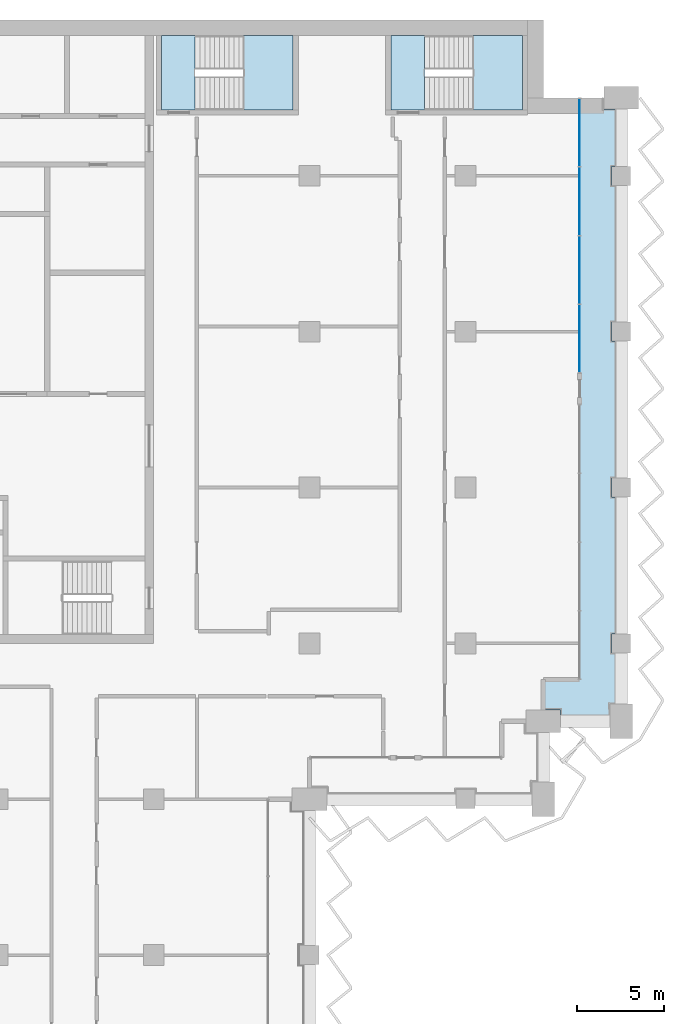
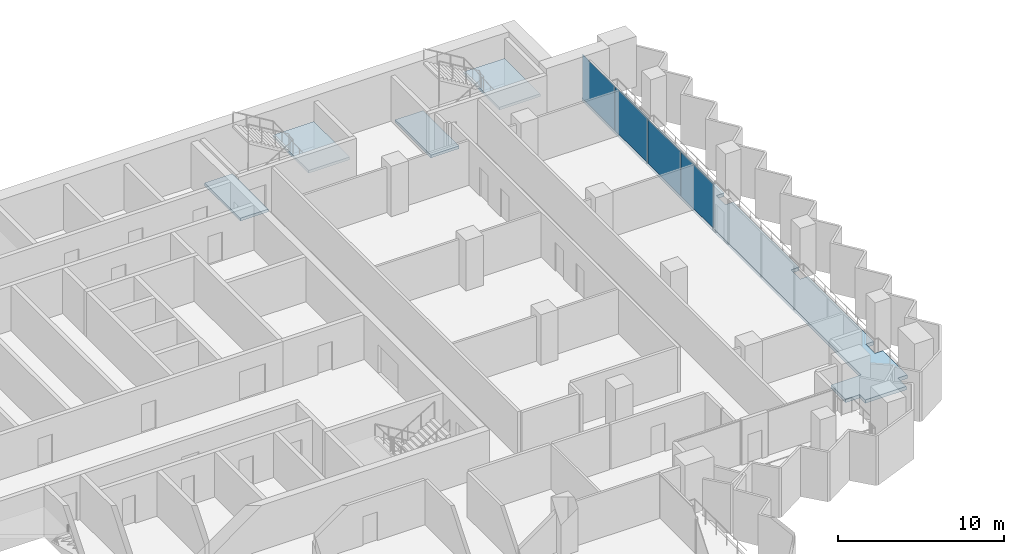
# One storey, part 8 of 23: 5 slabs, 4 plates, 3 elements without a shape of their own.
"""IFC4 building model written with IfcOpenShell, lengths in metres."""

import ifcopenshell
import ifcopenshell.guid

model = None  # the IFC model being written
_history = None  # IfcOwnerHistory: only IFC2X3 demands one
_inside = {}  # id of a spatial element -> (the spatial element, [elements in it])
_under = {}  # id of a project, library or spatial element -> (it, [spatial elements below it])
_declared = {}  # id of a project -> (the project, [libraries it declares])
_typed = {}  # id of a type object -> (the type object, [elements of that type])
_made_of = {}  # id of a material, layer set ... -> (it, [elements and type objects made of it])


def new_model(schema):
    """Start an empty IFC model of exactly this schema.

    Asked for "IFC4X3", IfcOpenShell would pick the latest addendum, in which some entities
    have other attributes; the version numbers below select the first issue.
    IFC2X3 requires an IfcOwnerHistory on every rooted entity: one is made here for all.
    """
    global model, _history
    if schema == "IFC4X3":
        model = ifcopenshell.file(schema_version=(4, 3, 0, 0))
    else:
        model = ifcopenshell.file(schema=schema)
    _inside.clear()
    _under.clear()
    _declared.clear()
    _typed.clear()
    _made_of.clear()
    _history = None
    if model.schema == "IFC2X3":
        org = make("IfcOrganization", Name="unknown")
        user = make(
            "IfcPersonAndOrganization",
            ThePerson=make("IfcPerson", FamilyName="unknown"),
            TheOrganization=org,
        )
        app = make(
            "IfcApplication",
            ApplicationDeveloper=org,
            Version="unknown",
            ApplicationFullName="unknown",
            ApplicationIdentifier="unknown",
        )
        _history = make(
            "IfcOwnerHistory",
            OwningUser=user,
            OwningApplication=app,
            ChangeAction="ADDED",
            CreationDate=0,
        )
    return model


def make(cls, **values):
    """One entity of the class cls with the attributes given. An attribute that is None is left unset."""
    return model.create_entity(
        cls, **{name: value for name, value in values.items() if value is not None}
    )


def rooted(cls, **values):
    """An entity with a GlobalId (a new one), such as an element, a storey or a relation."""
    return make(cls, GlobalId=ifcopenshell.guid.new(), OwnerHistory=_history, **values)


def si_unit(unit_type, name, prefix=None):
    """IfcSIUnit, for example si_unit("LENGTHUNIT", "METRE", prefix="MILLI")."""
    return make("IfcSIUnit", UnitType=unit_type, Prefix=prefix, Name=name)


def assignment(units):
    """IfcUnitAssignment: the units of a project."""
    return None if units is None else make("IfcUnitAssignment", Units=units)


def point(xyz):
    """IfcCartesianPoint."""
    return None if xyz is None else make("IfcCartesianPoint", Coordinates=xyz)


def direction(xyz):
    """IfcDirection."""
    return None if xyz is None else make("IfcDirection", DirectionRatios=xyz)


def frame(location, z_axis=None, x_axis=None):
    """IfcAxis2Placement3D, a coordinate frame: its origin and axes. An axis left out is left unset."""
    return make(
        "IfcAxis2Placement3D",
        Location=point(location),
        Axis=direction(z_axis),
        RefDirection=direction(x_axis),
    )


def frame_2d(location, x_axis=None):
    """IfcAxis2Placement2D, a coordinate frame in the plane: its origin and x axis."""
    return make(
        "IfcAxis2Placement2D", Location=point(location), RefDirection=direction(x_axis)
    )


def origin():
    """The frame at (0, 0, 0) with its axes left unset."""
    return frame((0.0, 0.0, 0.0))


def origin_2d():
    """The frame at (0, 0) in the plane with its x axis left unset."""
    return frame_2d((0.0, 0.0))


def place(relative_to, where):
    """IfcLocalPlacement: puts the frame where relative to a parent placement (None: the world)."""
    return make(
        "IfcLocalPlacement", PlacementRelTo=relative_to, RelativePlacement=where
    )


def context(
    kind, dimensions, precision=None, world=None, true_north=None, identifier=None
):
    """IfcGeometricRepresentationContext, for example the 3D "Model" context."""
    return make(
        "IfcGeometricRepresentationContext",
        ContextIdentifier=identifier,
        ContextType=kind,
        CoordinateSpaceDimension=dimensions,
        Precision=precision,
        WorldCoordinateSystem=world,
        TrueNorth=true_north,
    )


def subcontext(parent, identifier, kind, view, scale=None):
    """IfcGeometricRepresentationSubContext, for example "Body" below "Model"."""
    return make(
        "IfcGeometricRepresentationSubContext",
        ContextIdentifier=identifier,
        ContextType=kind,
        ParentContext=parent,
        TargetScale=scale,
        TargetView=view,
    )


def project(units=None, contexts=None):
    """IfcProject with its units and contexts."""
    return rooted(
        "IfcProject",
        Name="project",
        RepresentationContexts=contexts,
        UnitsInContext=assignment(units),
    )


def spatial(cls, under=None, at=None, **own):
    """A site, building, storey or space (cls), placed at a placement, below another one or the project."""
    s = rooted(cls, ObjectPlacement=at, **own)
    if under is not None:
        _under.setdefault(under.id(), (under, []))[1].append(s)
    return s


def polyline(points):
    """IfcPolyline through the points."""
    return make("IfcPolyline", Points=[point(p) for p in points])


def profile(cls, at=None, kind="AREA", **sizes):
    """A parametric profile (cls). Its sizes go by their IFC names, for example OverallWidth=200.0."""
    return make(cls, ProfileType=kind, Position=at, **sizes)


def rectangle(**sizes):
    """IfcRectangleProfileDef."""
    return profile("IfcRectangleProfileDef", **sizes)


def outline(outer, holes=None, kind="AREA"):
    """IfcArbitraryClosedProfileDef: a profile drawn as a closed curve; with holes, ...WithVoids."""
    if holes is None:
        return make("IfcArbitraryClosedProfileDef", ProfileType=kind, OuterCurve=outer)
    return make(
        "IfcArbitraryProfileDefWithVoids",
        ProfileType=kind,
        OuterCurve=outer,
        InnerCurves=holes,
    )


def extrude(swept, where, along, depth):
    """IfcExtrudedAreaSolid: the profile swept, set in the frame where, extruded along a direction by depth."""
    return make(
        "IfcExtrudedAreaSolid",
        SweptArea=swept,
        Position=where,
        ExtrudedDirection=direction(along),
        Depth=depth,
    )


def shape(context_of_items, identifier, shape_type, items):
    """IfcShapeRepresentation: the items that make up one representation, for example the "Body"."""
    return make(
        "IfcShapeRepresentation",
        ContextOfItems=context_of_items,
        RepresentationIdentifier=identifier,
        RepresentationType=shape_type,
        Items=items,
    )


def material(Name=None, Category=None):
    """IfcMaterial."""
    return make("IfcMaterial", Name=Name, Category=Category)


def layer(
    of_material, thickness, ventilated=None, Name=None, Category=None, Priority=None
):
    """IfcMaterialLayer: one layer of a wall or slab, of a material (None: an air gap)."""
    return make(
        "IfcMaterialLayer",
        Material=of_material,
        LayerThickness=thickness,
        IsVentilated=ventilated,
        Name=Name,
        Category=Category,
        Priority=Priority,
    )


def layer_set(layers, Name=None):
    """IfcMaterialLayerSet."""
    return make("IfcMaterialLayerSet", MaterialLayers=layers, LayerSetName=Name)


def made_of(thing, what):
    """Note that an element or type object is made of a material, layer set ...; save() writes the relation."""
    if what is not None:
        _made_of.setdefault(what.id(), (what, []))[1].append(thing)
    return thing


def type_object(cls, material=None, **own):
    """A type object (cls), such as IfcWallType, which elements share."""
    return made_of(rooted(cls, **own), material)


def element(
    cls,
    number,
    at=None,
    inside=None,
    cuts=None,
    type_object=None,
    material=None,
    context=None,
    identifier="Body",
    shape_type=None,
    held_by="IfcProductDefinitionShape",
    body=None,
    shapes=None,
    **own,
):
    """One element of the class cls, such as IfcWall. Its Tag is "e" and its number.

    at: its placement. inside: the storey or other place that contains it. cuts: it is an
    opening in that element (IfcRelVoidsElement). A single representation is given by context,
    identifier, shape_type and body (its items); several are given by shapes. held_by: the class
    of the entity that holds the representations. save() writes the other relations.
    """
    e = rooted(cls, Tag="e%d" % number, ObjectPlacement=at, **own)
    if body is not None:
        shapes = [shape(context, identifier, shape_type, body)]
    if shapes is not None:
        e.Representation = make(held_by, Representations=shapes)
    if inside is not None:
        _inside.setdefault(inside.id(), (inside, []))[1].append(e)
    if cuts is not None:
        rooted(
            "IfcRelVoidsElement", RelatingBuildingElement=cuts, RelatedOpeningElement=e
        )
    if type_object is not None:
        _typed.setdefault(type_object.id(), (type_object, []))[1].append(e)
    return made_of(e, material)


def aggregate(whole, parts):
    """IfcRelAggregates: a whole, such as a stair, and the parts it consists of."""
    return rooted("IfcRelAggregates", RelatingObject=whole, RelatedObjects=parts)


def save(model, path):
    """Write the relations noted so far, then the file.

    IfcRelAggregates (storeys below a building ...), IfcRelContainedInSpatialStructure (elements
    in a storey), IfcRelDefinesByType, IfcRelAssociatesMaterial and IfcRelDeclares: one each for
    every whole, place, type object, material and project.
    """
    for whole, parts in _under.values():
        aggregate(whole, parts)
    for where, things in _inside.values():
        rooted(
            "IfcRelContainedInSpatialStructure",
            RelatedElements=things,
            RelatingStructure=where,
        )
    for kind, things in _typed.values():
        rooted("IfcRelDefinesByType", RelatedObjects=things, RelatingType=kind)
    for what, things in _made_of.values():
        rooted("IfcRelAssociatesMaterial", RelatedObjects=things, RelatingMaterial=what)
    for by, libraries in _declared.values():
        rooted("IfcRelDeclares", RelatingContext=by, RelatedDefinitions=libraries)
    model.write(path)


model = new_model("IFC4")

# Units and contexts
model_context = context("Model", 3, precision=1e-05, world=origin(), true_north=direction((0.0, 1.0)))
body_context = subcontext(model_context, "Body", "Model", "MODEL_VIEW")
ifc_project = project(units=[si_unit("LENGTHUNIT", "METRE"), si_unit("AREAUNIT", "SQUARE_METRE"), si_unit("VOLUMEUNIT", "CUBIC_METRE"), si_unit("PLANEANGLEUNIT", "RADIAN"), si_unit("MASSUNIT", "GRAM", prefix="KILO")], contexts=[model_context])

# Site, building, storey
site_placement = place(None, origin())
site = spatial("IfcSite", under=ifc_project, at=site_placement, CompositionType="ELEMENT")
building_placement = place(site_placement, origin())
building = spatial("IfcBuilding", under=site, at=building_placement, Name="Hunhe Ridgeline Campus", CompositionType="ELEMENT")
storey_placement = place(building_placement, frame((0.0, 0.0, 148.60009765625)))
storey = spatial("IfcBuildingStorey", under=building, at=storey_placement, Name="L37", CompositionType="ELEMENT", Elevation=148.60009765625)

# Curtain wall, plates
ifc_material_1 = material(Name="Aluminium 6063", Category="aluminium")
curtain_wall_type = type_object("IfcCurtainWallType", Name="Curtain wall CW-1", PredefinedType="NOTDEFINED", material=ifc_material_1)
curtain_wall_placement = place(storey_placement, origin())
curtain_wall = element("IfcCurtainWall", 1, at=curtain_wall_placement, inside=storey, type_object=curtain_wall_type, Name="Curtain wall 15", PredefinedType="NOTDEFINED")
ifc_material_2 = material(Name="Low-e laminated glass", Category="glass")
ifc_layer_1 = layer(ifc_material_2, 0.028076171875)
ifc_layer_set_1 = layer_set([ifc_layer_1], Name="Curtain wall glass panel 28 low-e laminated")
plate_type = type_object("IfcPlateType", Name="Curtain wall glass panel 28 low-e laminated", PredefinedType="CURTAIN_PANEL", material=ifc_layer_set_1)
plate_1_placement = place(storey_placement, frame((60.59912109375, 80.60302734375, 0.0), z_axis=(0.0, 0.0, 1.0), x_axis=(0.0, 1.0, 0.0)))
plate_1 = element("IfcPlate", 2, at=plate_1_placement, type_object=plate_type, Name="CW-1 panel 1", PredefinedType="CURTAIN_PANEL", context=body_context, shape_type="SweptSolid", body=[
    extrude(rectangle(XDim=3.884765625, YDim=0.028076171875, at=origin_2d()), origin(), (0.0, 0.0, 1.0), 3.239990234375),
])
plate_2_placement = place(storey_placement, frame((60.59912109375, 84.562744140625, 0.0), z_axis=(0.0, 0.0, 1.0), x_axis=(0.0, 1.0, 0.0)))
plate_2 = element("IfcPlate", 3, at=plate_2_placement, type_object=plate_type, Name="CW-1 panel 2", PredefinedType="CURTAIN_PANEL", context=body_context, shape_type="SweptSolid", body=[
    extrude(rectangle(XDim=3.914794921875, YDim=0.028076171875, at=origin_2d()), origin(), (0.0, 0.0, 1.0), 3.239990234375),
])
plate_3_placement = place(storey_placement, frame((60.59912109375, 88.53759765625, 0.0), z_axis=(0.0, 0.0, 1.0), x_axis=(0.0, 1.0, 0.0)))
plate_3 = element("IfcPlate", 4, at=plate_3_placement, type_object=plate_type, Name="CW-1 panel 3", PredefinedType="CURTAIN_PANEL", context=body_context, shape_type="SweptSolid", body=[
    extrude(rectangle(XDim=3.914794921875, YDim=0.028076171875, at=origin_2d()), origin(), (0.0, 0.0, 1.0), 3.239990234375),
])
plate_4_placement = place(storey_placement, frame((60.59912109375, 92.49755859375, 0.0), z_axis=(0.0, 0.0, 1.0), x_axis=(0.0, 1.0, 0.0)))
plate_4 = element("IfcPlate", 5, at=plate_4_placement, type_object=plate_type, Name="CW-1 panel 4", PredefinedType="CURTAIN_PANEL", context=body_context, shape_type="SweptSolid", body=[
    extrude(rectangle(XDim=3.884765625, YDim=0.028076171875, at=origin_2d()), origin(), (0.0, 0.0, 1.0), 3.239990234375),
])
aggregate(curtain_wall, [plate_1, plate_2, plate_3, plate_4])

# Slab
ifc_material_3 = material(Name="Concrete C40", Category="concrete")
ifc_layer_2 = layer(ifc_material_3, 0.25)
ifc_layer_set_2 = layer_set([ifc_layer_2], Name="Loggia slab 250 Concrete C40")
slab_type_1 = type_object("IfcSlabType", Name="Loggia slab 250 Concrete C40", PredefinedType="FLOOR", material=ifc_layer_set_2)
slab_1_placement = place(storey_placement, frame((0.0, 0.0, -0.25)))
element("IfcSlab", 6, at=slab_1_placement, inside=storey, type_object=slab_type_1, Name="Loggia slab 3", PredefinedType="FLOOR", context=body_context, shape_type="SweptSolid", body=[
    extrude(outline(polyline([(58.5, 59.14990234375), (59.5, 59.14990234375), (59.5, 58.5), (62.35009765625, 58.5), (62.35009765625, 59.5), (63.0, 59.5), (63.0, 62.449951171875), (62.449951171875, 62.449951171875), (62.449951171875, 63.550048828125), (63.0, 63.550048828125), (63.0, 71.449951171875), (62.449951171875, 71.449951171875), (62.449951171875, 72.550048828125), (63.0, 72.550048828125), (63.0, 80.449951171875), (62.449951171875, 80.449951171875), (62.449951171875, 81.550048828125), (63.0, 81.550048828125), (63.0, 89.449951171875), (62.449951171875, 89.449951171875), (62.449951171875, 90.550048828125), (63.0, 90.550048828125), (63.0, 93.85009765625), (62.0, 93.85009765625), (62.0, 94.5), (60.60009765625, 94.5), (60.60009765625, 60.89990234375), (58.5, 60.89990234375), (58.5, 59.14990234375)])), origin(), (0.0, 0.0, 1.0), 0.25),
])

# Stair, slab
stair_type = type_object("IfcStairType", Name="Reinforced concrete dog-leg stair 1950 Concrete C40", PredefinedType="HALF_TURN_STAIR", material=ifc_material_3)
stair_1_placement = place(storey_placement, origin())
stair_1 = element("IfcStair", 7, at=stair_1_placement, inside=storey, type_object=stair_type, Name="L37 E1", PredefinedType="HALF_TURN_STAIR")
ifc_layer_3 = layer(ifc_material_3, 0.199951171875)
ifc_layer_set_3 = layer_set([ifc_layer_3], Name="Reinforced concrete stair landing 200 Concrete C40")
slab_type_2 = type_object("IfcSlabType", Name="Reinforced concrete stair landing 200 Concrete C40", PredefinedType="LANDING", material=ifc_layer_set_3)
slab_2_placement = place(storey_placement, frame((0.0, 0.0, 1.64990234375)))
slab_2 = element("IfcSlab", 8, at=slab_2_placement, type_object=slab_type_2, Name="ST5 landing 1", PredefinedType="LANDING", context=body_context, shape_type="SweptSolid", body=[
    extrude(outline(polyline([(41.199951171875, 93.800048828125), (44.050048828125, 93.800048828125), (44.050048828125, 98.10009765625), (41.199951171875, 98.10009765625), (41.199951171875, 93.800048828125)])), origin(), (0.0, 0.0, 1.0), 0.199951171875),
])
aggregate(stair_1, [slab_2])

# Slab
slab_3_placement = place(storey_placement, frame((0.0, 0.0, -0.2001953125)))
element("IfcSlab", 9, at=slab_3_placement, inside=storey, type_object=slab_type_2, Name="L37 stair E1 floor landing", PredefinedType="LANDING", context=body_context, shape_type="SweptSolid", body=[
    extrude(outline(polyline([(36.449951171875, 93.800048828125), (38.39990234375, 93.800048828125), (38.39990234375, 98.10009765625), (36.449951171875, 98.10009765625), (36.449951171875, 93.800048828125)])), origin(), (0.0, 0.0, 1.0), 0.2001953125),
])

# Stair, slab
stair_2_placement = place(storey_placement, origin())
stair_2 = element("IfcStair", 10, at=stair_2_placement, inside=storey, type_object=stair_type, Name="L37 E2", PredefinedType="HALF_TURN_STAIR")
slab_4_placement = place(storey_placement, frame((0.0, 0.0, 1.64990234375)))
slab_4 = element("IfcSlab", 11, at=slab_4_placement, type_object=slab_type_2, Name="ST6 landing 1", PredefinedType="LANDING", context=body_context, shape_type="SweptSolid", body=[
    extrude(outline(polyline([(54.449951171875, 93.800048828125), (57.300048828125, 93.800048828125), (57.300048828125, 98.10009765625), (54.449951171875, 98.10009765625), (54.449951171875, 93.800048828125)])), origin(), (0.0, 0.0, 1.0), 0.199951171875),
])
aggregate(stair_2, [slab_4])

# Slab
slab_5_placement = place(storey_placement, frame((0.0, 0.0, -0.2001953125)))
element("IfcSlab", 12, at=slab_5_placement, inside=storey, type_object=slab_type_2, Name="L37 stair E2 floor landing", PredefinedType="LANDING", context=body_context, shape_type="SweptSolid", body=[
    extrude(outline(polyline([(49.699951171875, 93.800048828125), (51.64990234375, 93.800048828125), (51.64990234375, 98.10009765625), (49.699951171875, 98.10009765625), (49.699951171875, 93.800048828125)])), origin(), (0.0, 0.0, 1.0), 0.2001953125),
])

save(model, "model.ifc")
